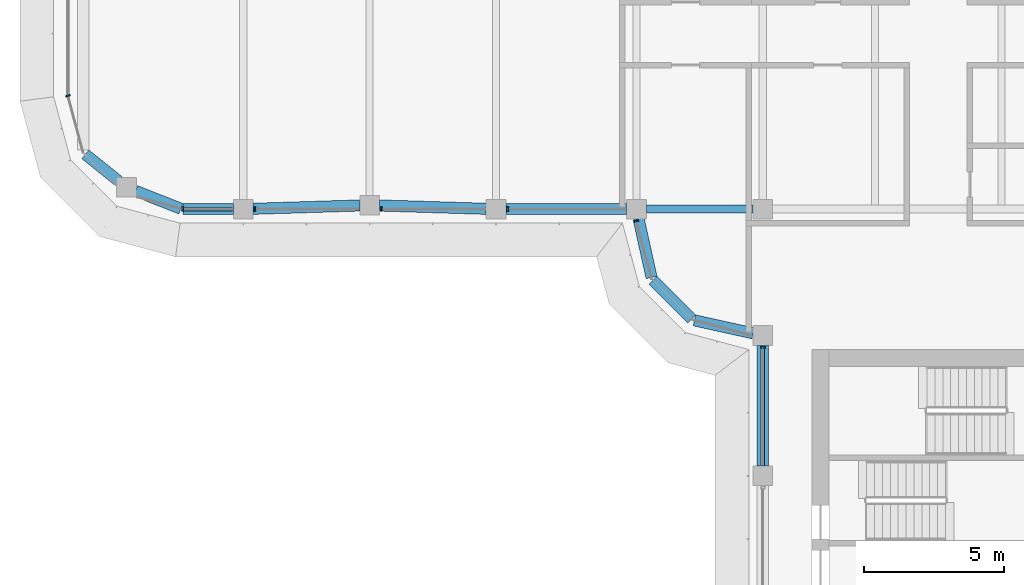
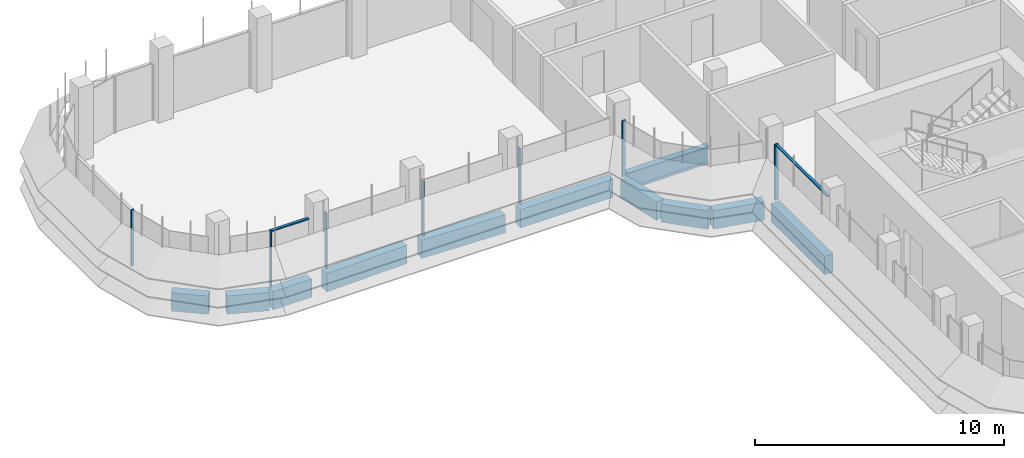
# One storey, part 3 of 19: 11 beams, 9 members, 4 elements without a shape of their own.
"""IFC4 building model written with IfcOpenShell, lengths in metres."""

from ifc_helpers import new_model, si_unit, direction, frame, origin, origin_2d, place, context, subcontext, project, spatial, polyline, rectangle, i_section, outline, extrude, source, transform, mapped, material, material_profile, profile_set, type_object, element, aggregate, save


model = new_model("IFC4")

# Units and contexts
model_context = context("Model", 3, precision=1e-05, world=origin(), true_north=direction((0.0, 1.0)))
body_context = subcontext(model_context, "Body", "Model", "MODEL_VIEW")
ifc_project = project(units=[si_unit("LENGTHUNIT", "METRE"), si_unit("AREAUNIT", "SQUARE_METRE"), si_unit("VOLUMEUNIT", "CUBIC_METRE"), si_unit("PLANEANGLEUNIT", "RADIAN"), si_unit("MASSUNIT", "GRAM", prefix="KILO")], contexts=[model_context])

# Site, building, storey
site_placement = place(None, origin())
site = spatial("IfcSite", under=ifc_project, at=site_placement, CompositionType="ELEMENT")
building_placement = place(site_placement, origin())
building = spatial("IfcBuilding", under=site, at=building_placement, Name="Zarbagh Exchange Tower", CompositionType="ELEMENT")
storey_placement = place(building_placement, frame((0.0, 0.0, 222.0)))
storey = spatial("IfcBuildingStorey", under=building, at=storey_placement, Name="L54", CompositionType="ELEMENT", Elevation=222.0)

# Beams
ifc_material_1 = material(Name="Steel ASTM A992 Gr 50", Category="steel")
ifc_material_profile_1 = material_profile(ifc_material_1, i_section(OverallWidth=0.2919921875, OverallDepth=0.835693359375, WebThickness=0.013916015625, FlangeThickness=0.018798828125, at=origin_2d()), Name="W33X118")
ifc_profile_set_1 = profile_set([ifc_material_profile_1], Name="Steel ASTM A992 Gr 50")
beam_type_1 = type_object("IfcBeamType", Name="Floor girder W33X118", PredefinedType="BEAM", material=ifc_profile_set_1)
beam_1_placement = place(storey_placement, frame((-10.39990234375, -6.25, -0.56787109375), z_axis=(1.0, 0.0, 0.0), x_axis=(0.0, 1.0, 0.0)))
element("IfcBeam", 1, at=beam_1_placement, inside=storey, type_object=beam_type_1, Name="Steel girder", PredefinedType="BEAM", context=body_context, shape_type="SweptSolid", body=[
    extrude(i_section(OverallWidth=0.2919921875, OverallDepth=0.835693359375, WebThickness=0.013916015625, FlangeThickness=0.018798828125, at=origin_2d()), origin(), (0.0, 0.0, 1.0), 3.7998046875),
])
ifc_material_2 = material(Name="Concrete C50/60", Category="concrete")
ifc_material_profile_2 = material_profile(ifc_material_2, rectangle(XDim=0.39990234375, YDim=0.89990234375, at=origin_2d()), Name="RC spandrel beam 400 x 900 C50/60")
ifc_profile_set_2 = profile_set([ifc_material_profile_2], Name="Concrete C50/60")
beam_type_2 = type_object("IfcBeamType", Name="RC spandrel beam 400 x 900 C50/60", PredefinedType="SPANDREL", material=ifc_profile_set_2)
beam_2_placement = place(storey_placement, frame((-6.25, -15.39990234375, -0.60009765625), z_axis=(0.0, 1.0, 0.0), x_axis=(-1.0, 0.0, 0.0)))
element("IfcBeam", 2, at=beam_2_placement, inside=storey, type_object=beam_type_2, Name="RC spandrel beam", PredefinedType="SPANDREL", context=body_context, shape_type="SweptSolid", body=[
    extrude(rectangle(XDim=0.39990234375, YDim=0.89990234375, at=origin_2d()), origin(), (0.0, 0.0, 1.0), 4.2998046875),
])
beam_3_placement = place(storey_placement, frame((-6.591796875, -10.67431640625, -0.60009765625), z_axis=(-0.97639036545, 0.216013551096, 0.0), x_axis=(-0.216013551096, -0.97639036545, 0.0)))
element("IfcBeam", 3, at=beam_3_placement, inside=storey, type_object=beam_type_2, Name="RC spandrel beam", PredefinedType="SPANDREL", context=body_context, shape_type="SweptSolid", body=[
    extrude(rectangle(XDim=0.39990234375, YDim=0.89990234375, at=origin_2d()), origin(), (0.0, 0.0, 1.0), 2.142822265625),
])
beam_4_placement = place(storey_placement, frame((-8.782470703125, -10.15771484375, -0.60009765625), z_axis=(-0.707106781187, 0.707106781187, 0.0), x_axis=(-0.707106781187, -0.707106781187, 0.0)))
element("IfcBeam", 4, at=beam_4_placement, inside=storey, type_object=beam_type_2, Name="RC spandrel beam", PredefinedType="SPANDREL", context=body_context, shape_type="SweptSolid", body=[
    extrude(rectangle(XDim=0.39990234375, YDim=0.89990234375, at=origin_2d()), origin(), (0.0, 0.0, 1.0), 1.94482421875),
])
beam_5_placement = place(storey_placement, frame((-10.21142578125, -8.68408203125, -0.60009765625), z_axis=(-0.216013551096, 0.97639036545, 0.0), x_axis=(-0.97639036545, -0.216013551096, 0.0)))
element("IfcBeam", 5, at=beam_5_placement, inside=storey, type_object=beam_type_2, Name="RC spandrel beam", PredefinedType="SPANDREL", context=body_context, shape_type="SweptSolid", body=[
    extrude(rectangle(XDim=0.39990234375, YDim=0.89990234375, at=origin_2d()), origin(), (0.0, 0.0, 1.0), 2.142822265625),
])
beam_6_placement = place(storey_placement, frame((-11.10009765625, -6.25, -0.60009765625), z_axis=(-1.0, 0.0, 0.0), x_axis=(0.0, -1.0, 0.0)))
element("IfcBeam", 6, at=beam_6_placement, inside=storey, type_object=beam_type_2, Name="RC spandrel beam", PredefinedType="SPANDREL", context=body_context, shape_type="SweptSolid", body=[
    extrude(rectangle(XDim=0.39990234375, YDim=0.89990234375, at=origin_2d()), origin(), (0.0, 0.0, 1.0), 4.2998046875),
])
for number, where, z_axis, x_axis, name in (
    (7, (-16.099853515625, -6.239013671875, -0.60009765625), (-0.999516950199, 0.031078389046, 0.0), (-0.031078389046, -0.999516950199, 0.0), "RC spandrel beam"),
    (8, (-20.599853515625, -6.120849609375, -0.60009765625), (-0.999516950199, -0.031078389046, 0.0), (0.031078389046, -0.999516950199, 0.0), "RC spandrel beam"),
):
    element("IfcBeam", number, at=place(storey_placement, frame(where, z_axis=z_axis, x_axis=x_axis)), inside=storey, type_object=beam_type_2, Name=name, PredefinedType="SPANDREL", context=body_context, shape_type="SweptSolid", body=[
        extrude(rectangle(XDim=0.39990234375, YDim=0.89990234375, at=origin_2d()), origin(), (0.0, 0.0, 1.0), 3.80224609375),
    ])
beam_7_placement = place(storey_placement, frame((-25.10009765625, -6.25, -0.60009765625), z_axis=(-1.0, 0.0, 0.0), x_axis=(0.0, -1.0, 0.0)))
element("IfcBeam", 9, at=beam_7_placement, inside=storey, type_object=beam_type_2, Name="RC spandrel beam", PredefinedType="SPANDREL", context=body_context, shape_type="SweptSolid", body=[
    extrude(rectangle(XDim=0.39990234375, YDim=0.89990234375, at=origin_2d()), origin(), (0.0, 0.0, 1.0), 1.796142578125),
])
beam_8_placement = place(storey_placement, frame((-26.969482421875, -6.236083984375, -0.60009765625), z_axis=(-0.930809711446, 0.365504146457, 0.0), x_axis=(-0.365504146457, -0.930809711446, 0.0)))
element("IfcBeam", 10, at=beam_8_placement, inside=storey, type_object=beam_type_2, Name="RC spandrel beam", PredefinedType="SPANDREL", context=body_context, shape_type="SweptSolid", body=[
    extrude(rectangle(XDim=0.39990234375, YDim=0.89990234375, at=origin_2d()), origin(), (0.0, 0.0, 1.0), 1.732666015625),
])
beam_9_placement = place(storey_placement, frame((-29.18115234375, -5.256103515625, -0.60009765625), z_axis=(-0.780634897504, 0.62498732531, 0.0), x_axis=(-0.62498732531, -0.780634897504, 0.0)))
element("IfcBeam", 11, at=beam_9_placement, inside=storey, type_object=beam_type_2, Name="RC spandrel beam", PredefinedType="SPANDREL", context=body_context, shape_type="SweptSolid", body=[
    extrude(rectangle(XDim=0.39990234375, YDim=0.89990234375, at=origin_2d()), origin(), (0.0, 0.0, 1.0), 1.52783203125),
])

# Curtain wall, member
ifc_material_3 = material(Name="Anodised aluminium frame and glazing", Category="aluminium")
curtain_wall_type = type_object("IfcCurtainWallType", Name="CWB Ribbon glazing, upper zones", PredefinedType="NOTDEFINED", material=ifc_material_3)
curtain_wall_1_placement = place(storey_placement, origin())
curtain_wall_1 = element("IfcCurtainWall", 12, at=curtain_wall_1_placement, inside=storey, type_object=curtain_wall_type, Name="CWB62 curtain wall", PredefinedType="NOTDEFINED")
ifc_material_4 = material(Name="Anodised aluminium frame", Category="aluminium")
member_type_1 = type_object("IfcMemberType", Name="MUB Mullion, anodised aluminium frame", PredefinedType="MULLION", material=ifc_material_4)
shared_shape_1 = source(origin(), body_context, "Body", "SweptSolid", [
    extrude(outline(polyline([(0.0, -0.080078125), (0.06005859375, -0.080078125), (0.06005859375, 0.080078125), (0.0, 0.080078125), (0.0, -0.080078125)])), origin(), (0.0, 0.0, 1.0), 2.75),
])
placement = place(storey_placement, origin())
member_1 = element("IfcMember", 13, at=placement, type_object=member_type_1, Name="CWB62 mullion 1.1", PredefinedType="MULLION", context=body_context, shape_type="MappedRepresentation", body=[
    mapped(shared_shape_1, transform((-31.0, -2.18408203125, 0.0), x_axis=(0.258824779902, -0.965924289636, 0.0), y_axis=(0.965924289636, 0.258824779902, 0.0), z_axis=(0.0, 0.0, 1.0))),
])
aggregate(curtain_wall_1, [member_1])

# Curtain wall, members
curtain_wall_2_placement = place(storey_placement, origin())
curtain_wall_2 = element("IfcCurtainWall", 14, at=curtain_wall_2_placement, inside=storey, type_object=curtain_wall_type, Name="CWB65 curtain wall", PredefinedType="NOTDEFINED")
member_2 = element("IfcMember", 15, at=placement, type_object=member_type_1, Name="CWB65 mullion 1.1", PredefinedType="MULLION", context=body_context, shape_type="MappedRepresentation", body=[
    mapped(shared_shape_1, transform((-26.93408203125, -6.25, 0.0), x_axis=(1.0, 0.0, 0.0), y_axis=(0.0, 1.0, 0.0), z_axis=(0.0, 0.0, 1.0))),
])
member_3 = element("IfcMember", 16, at=placement, type_object=member_type_1, Name="CWB65 mullion 2.1", PredefinedType="MULLION", context=body_context, shape_type="MappedRepresentation", body=[
    mapped(shared_shape_1, transform((-24.35986328125, -6.25, 0.0), x_axis=(1.0, 0.0, 0.0), y_axis=(0.0, 1.0, 0.0), z_axis=(0.0, 0.0, 1.0))),
])
member_4 = element("IfcMember", 17, at=placement, type_object=member_type_1, Name="CWB65 mullion 3.1", PredefinedType="MULLION", context=body_context, shape_type="MappedRepresentation", body=[
    mapped(shared_shape_1, transform((-19.85986328125, -6.25, 0.0), x_axis=(1.0, 0.0, 0.0), y_axis=(0.0, 1.0, 0.0), z_axis=(0.0, 0.0, 1.0))),
])
member_5 = element("IfcMember", 18, at=placement, type_object=member_type_1, Name="CWB65 mullion 4.1", PredefinedType="MULLION", context=body_context, shape_type="MappedRepresentation", body=[
    mapped(shared_shape_1, transform((-15.35986328125, -6.25, 0.0), x_axis=(1.0, 0.0, 0.0), y_axis=(0.0, 1.0, 0.0), z_axis=(0.0, 0.0, 1.0))),
])

# Curtain wall, member
curtain_wall_3_placement = place(storey_placement, origin())
curtain_wall_3 = element("IfcCurtainWall", 19, at=curtain_wall_3_placement, inside=storey, type_object=curtain_wall_type, Name="CWB41 curtain wall", PredefinedType="NOTDEFINED")
member_6 = element("IfcMember", 20, at=placement, type_object=member_type_1, Name="CWB41 mullion 1.1", PredefinedType="MULLION", context=body_context, shape_type="MappedRepresentation", body=[
    mapped(shared_shape_1, transform((-10.76171875, -6.64013671875, 0.0), x_axis=(0.258824779902, -0.965924289636, 0.0), y_axis=(0.965924289636, 0.258824779902, 0.0), z_axis=(0.0, 0.0, 1.0))),
])
aggregate(curtain_wall_3, [member_6])

curtain_wall_4_placement = place(storey_placement, origin())
curtain_wall_4 = element("IfcCurtainWall", 21, at=curtain_wall_4_placement, inside=storey, type_object=curtain_wall_type, Name="CWB53 curtain wall", PredefinedType="NOTDEFINED")
member_7 = element("IfcMember", 22, at=placement, type_object=member_type_1, Name="CWB53 mullion 1.1", PredefinedType="MULLION", context=body_context, shape_type="MappedRepresentation", body=[
    mapped(shared_shape_1, transform((-6.25, -11.14013671875, 0.0), x_axis=(0.0, -1.0, 0.0), y_axis=(1.0, 0.0, 0.0), z_axis=(0.0, 0.0, 1.0))),
])

# Member
member_type_2 = type_object("IfcMemberType", Name="TRB Transom, anodised aluminium frame", PredefinedType="USERDEFINED", material=ifc_material_4)
shared_shape_2 = source(origin(), body_context, "Body", "SweptSolid", [
    extrude(outline(polyline([(-0.06005859375, -0.06005859375), (0.0, -0.06005859375), (0.0, 0.06005859375), (-0.06005859375, 0.06005859375), (-0.06005859375, -0.06005859375)])), origin(), (0.0, 0.0, 1.0), 1.734130859375),
])
member_8 = element("IfcMember", 23, at=placement, type_object=member_type_2, Name="CWB65 transom 1.1", ObjectType="TRANSOM", PredefinedType="USERDEFINED", context=body_context, shape_type="MappedRepresentation", body=[
    mapped(shared_shape_2, transform((-26.874267578125, -6.25, 2.75), x_axis=(0.0, 0.0, 1.0), y_axis=(0.0, -1.0, 0.0), z_axis=(1.0, 0.0, 0.0))),
])

aggregate(curtain_wall_2, [member_2, member_8, member_3, member_4, member_5])

shared_shape_3 = source(origin(), body_context, "Body", "SweptSolid", [
    extrude(outline(polyline([(-0.06005859375, -0.06005859375), (0.0, -0.06005859375), (0.0, 0.06005859375), (-0.06005859375, 0.06005859375), (-0.06005859375, -0.06005859375)])), origin(), (0.0, 0.0, 1.0), 4.159912109375),
])
member_9 = element("IfcMember", 24, at=placement, type_object=member_type_2, Name="CWB53 transom 1.1", ObjectType="TRANSOM", PredefinedType="USERDEFINED", context=body_context, shape_type="MappedRepresentation", body=[
    mapped(shared_shape_3, transform((-6.25, -11.199951171875, 2.75), x_axis=(0.0, 0.0, 1.0), y_axis=(-1.0, 0.0, 0.0), z_axis=(0.0, -1.0, 0.0))),
])

aggregate(curtain_wall_4, [member_7, member_9])

save(model, "model.ifc")
